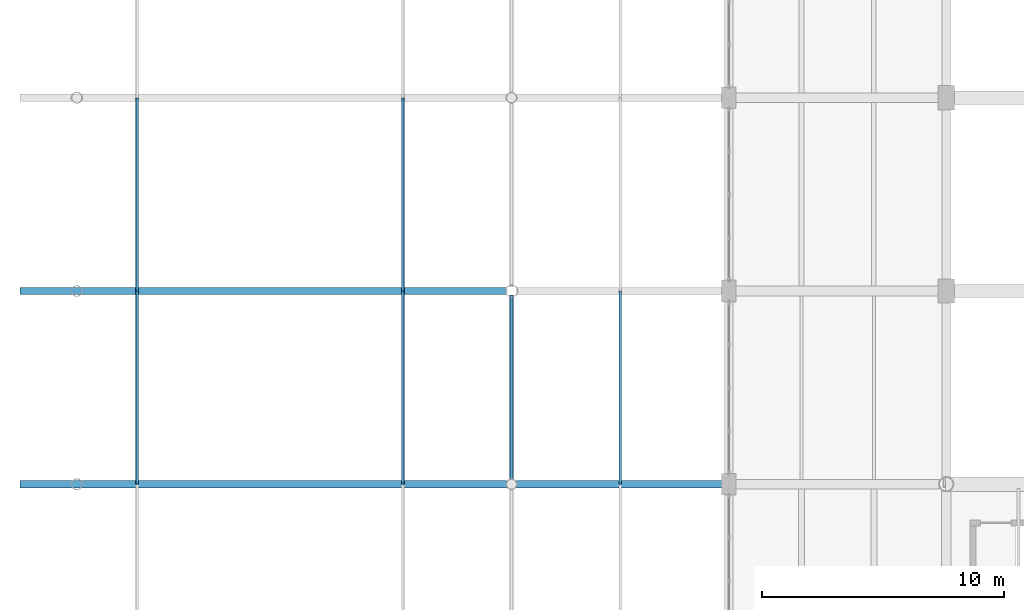
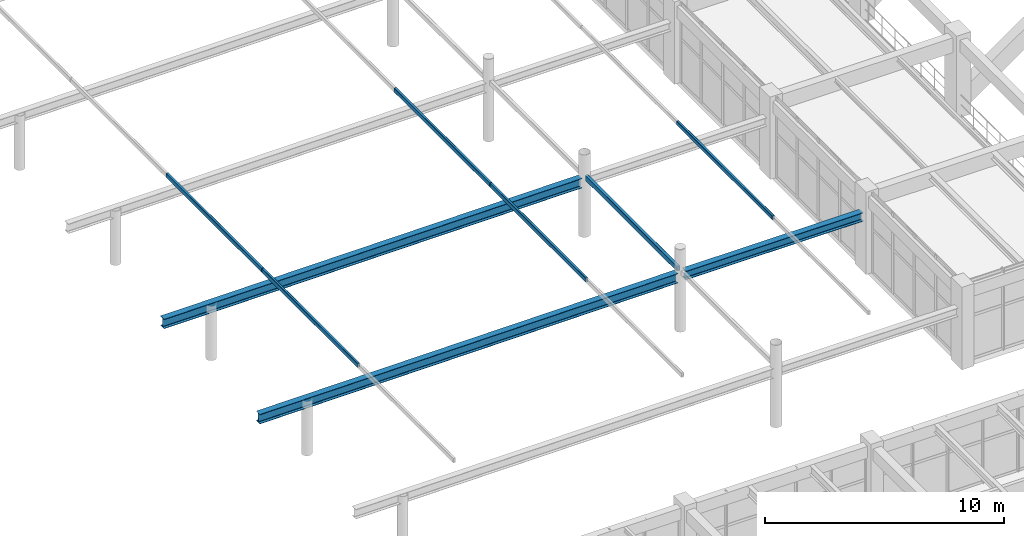
# One storey, part 31 of 148: 8 members, 1 beam.
"""IFC4 building model written with IfcOpenShell, lengths in metres."""

from ifc_helpers import new_model, si_unit, derived_unit, direction, frame, origin, origin_2d, place, context, subcontext, project, spatial, hollow_rectangle, i_section, extrude, material, material_profile, profile_set, type_object, element, save


model = new_model("IFC4")

# Units and contexts
model_context = context("Model", 3, precision=1e-05, world=origin(), true_north=direction((0.0, 1.0)))
body_context = subcontext(model_context, "Body", "Model", "MODEL_VIEW")
ifc_project = project(units=[si_unit("LENGTHUNIT", "METRE"), si_unit("AREAUNIT", "SQUARE_METRE"), si_unit("VOLUMEUNIT", "CUBIC_METRE"), si_unit("PLANEANGLEUNIT", "RADIAN"), si_unit("MASSUNIT", "GRAM", prefix="KILO"), derived_unit("THERMALTRANSMITTANCEUNIT", [(si_unit("MASSUNIT", "GRAM", prefix="KILO"), 1), (si_unit("TIMEUNIT", "SECOND"), -3), (si_unit("THERMODYNAMICTEMPERATUREUNIT", "KELVIN"), -1)])], contexts=[model_context])

# Site, building, storey
site_placement = place(None, origin())
site = spatial("IfcSite", under=ifc_project, at=site_placement, CompositionType="ELEMENT")
building_placement = place(site_placement, origin())
building = spatial("IfcBuilding", under=site, at=building_placement, Name="Zhenchuan Archway Interchange", CompositionType="ELEMENT")
storey_placement = place(building_placement, frame((0.0, 0.0, 10.199951171875)))
storey = spatial("IfcBuildingStorey", under=building, at=storey_placement, Name="L02", CompositionType="ELEMENT", Elevation=10.199951171875)

# Beam
ifc_material_1 = material(Name="Steel Q355", Category="steel")
ifc_material_profile_1 = material_profile(ifc_material_1, i_section(OverallWidth=0.300048828125, OverallDepth=0.43994140625, WebThickness=0.010986328125, FlangeThickness=0.01806640625, FilletRadius=0.02197265625, at=origin_2d()), Name="HM 440x300")
ifc_profile_set_1 = profile_set([ifc_material_profile_1], Name="Steel Q355")
beam_type = type_object("IfcBeamType", Name="BM_STL_HM440", PredefinedType="BEAM", material=ifc_profile_set_1)
beam_placement = place(storey_placement, frame((18.199951171875, 32.0, 2.75), z_axis=(1.0, 0.0, 0.0), x_axis=(0.0, 1.0, 0.0)))
element("IfcBeam", 1, at=beam_placement, inside=storey, type_object=beam_type, Name="ROOF TRUSS bus canopy T2 east bottom chord", PredefinedType="BEAM", context=body_context, shape_type="SweptSolid", body=[
    extrude(i_section(OverallWidth=0.300048828125, OverallDepth=0.43994140625, WebThickness=0.010986328125, FlangeThickness=0.01806640625, FilletRadius=0.02197265625, at=origin_2d()), origin(), (0.0, 0.0, 1.0), 8.550048828125),
])

# Members
ifc_material_2 = material(Name="Steel Q390", Category="steel")
ifc_material_profile_2 = material_profile(ifc_material_2, i_section(OverallWidth=0.300048828125, OverallDepth=0.488037109375, WebThickness=0.010986328125, FlangeThickness=0.01806640625, FilletRadius=0.02197265625, at=origin_2d()), Name="HM 488x300")
ifc_profile_set_2 = profile_set([ifc_material_profile_2], Name="Steel Q390")
member_type_1 = type_object("IfcMemberType", Name="MB_CHD_HM488", PredefinedType="CHORD", material=ifc_profile_set_2)
for number, where, z_axis, x_axis, name in (
    (2, (-2.35009765625, 32.0, 2.6201171875), (0.999979226799, 0.0, 0.006445616389), (0.0, 1.0, 0.0), "ROOF TRUSS bus canopy T2 west bottom chord"),
    (3, (-2.35009765625, 40.0, 2.6201171875), (0.999979226799, 0.0, 0.006445616389), (0.0, 1.0, 0.0), "ROOF TRUSS bus canopy T3 west bottom chord"),
):
    element("IfcMember", number, at=place(storey_placement, frame(where, z_axis=z_axis, x_axis=x_axis)), inside=storey, type_object=member_type_1, Name=name, PredefinedType="CHORD", context=body_context, shape_type="SweptSolid", body=[
        extrude(i_section(OverallWidth=0.300048828125, OverallDepth=0.488037109375, WebThickness=0.010986328125, FlangeThickness=0.01806640625, FilletRadius=0.02197265625, at=origin_2d()), origin(), (0.0, 0.0, 1.0), 20.150634765625),
    ])
ifc_material_profile_3 = material_profile(ifc_material_1, hollow_rectangle(XDim=0.1201171875, YDim=0.199951171875, WallThickness=0.008056640625, InnerFilletRadius=0.008056640625, OuterFilletRadius=0.01611328125, at=origin_2d()), Name="RHS 200x120x8")
ifc_profile_set_3 = profile_set([ifc_material_profile_3], Name="Steel Q355")
member_type_2 = type_object("IfcMemberType", Name="MB_RHS200", PredefinedType="PURLIN", material=ifc_profile_set_3)
member_1_placement = place(storey_placement, frame((22.5, 32.008056640625, 4.10009765625), z_axis=(0.0, 1.0, 0.0), x_axis=(-1.0, 0.0, 0.0)))
element("IfcMember", 4, at=member_1_placement, inside=storey, type_object=member_type_2, Name="Bus canopy roof purlin B2-P6", PredefinedType="PURLIN", context=body_context, shape_type="SweptSolid", body=[
    extrude(hollow_rectangle(XDim=0.1201171875, YDim=0.199951171875, WallThickness=0.008056640625, InnerFilletRadius=0.008056640625, OuterFilletRadius=0.01611328125, at=origin_2d()), origin(), (0.0, 0.0, 1.0), 7.98388671875),
])
ifc_material_profile_4 = material_profile(ifc_material_1, hollow_rectangle(XDim=0.1201171875, YDim=0.219970703125, WallThickness=0.008056640625, InnerFilletRadius=0.008056640625, OuterFilletRadius=0.01611328125, at=origin_2d()), Name="RHS 220x120x8")
ifc_profile_set_4 = profile_set([ifc_material_profile_4], Name="Steel Q355")
member_type_3 = type_object("IfcMemberType", Name="MB_RHS220", PredefinedType="PURLIN", material=ifc_profile_set_4)
for number, where, z_axis, x_axis, name in (
    (5, (2.5, 32.008056640625, 3.580078125), (0.0, 1.0, 0.0), (-1.0, 0.0, 0.0), "Bus canopy roof purlin B2-P1"),
    (6, (13.5, 32.008056640625, 4.080078125), (0.0, 1.0, 0.0), (-1.0, 0.0, 0.0), "Bus canopy roof purlin B2-P4"),
    (7, (2.5, 40.008056640625, 3.580078125), (0.0, 1.0, 0.0), (-1.0, 0.0, 0.0), "Bus canopy roof purlin B3-P1"),
    (8, (13.5, 40.008056640625, 4.080078125), (0.0, 1.0, 0.0), (-1.0, 0.0, 0.0), "Bus canopy roof purlin B3-P4"),
):
    element("IfcMember", number, at=place(storey_placement, frame(where, z_axis=z_axis, x_axis=x_axis)), inside=storey, type_object=member_type_3, Name=name, PredefinedType="PURLIN", context=body_context, shape_type="SweptSolid", body=[
        extrude(hollow_rectangle(XDim=0.1201171875, YDim=0.219970703125, WallThickness=0.008056640625, InnerFilletRadius=0.008056640625, OuterFilletRadius=0.01611328125, at=origin_2d()), origin(), (0.0, 0.0, 1.0), 7.98388671875),
    ])
ifc_material_profile_5 = material_profile(ifc_material_1, hollow_rectangle(XDim=0.14990234375, YDim=0.25, WallThickness=0.008056640625, InnerFilletRadius=0.008056640625, OuterFilletRadius=0.01611328125, at=origin_2d()), Name="RHS 250x150x8")
ifc_profile_set_5 = profile_set([ifc_material_profile_5], Name="Steel Q355")
member_type_4 = type_object("IfcMemberType", Name="MB_RHS250", PredefinedType="PURLIN", material=ifc_profile_set_5)
member_2_placement = place(storey_placement, frame((18.0, 32.159912109375, 3.0), z_axis=(0.0, 1.0, 0.0), x_axis=(-1.0, 0.0, 0.0)))
element("IfcMember", 9, at=member_2_placement, inside=storey, type_object=member_type_4, Name="Bus canopy roof purlin B2-P5", PredefinedType="PURLIN", context=body_context, shape_type="SweptSolid", body=[
    extrude(hollow_rectangle(XDim=0.14990234375, YDim=0.25, WallThickness=0.008056640625, InnerFilletRadius=0.008056640625, OuterFilletRadius=0.01611328125, at=origin_2d()), origin(), (0.0, 0.0, 1.0), 7.68017578125),
])

save(model, "model.ifc")
